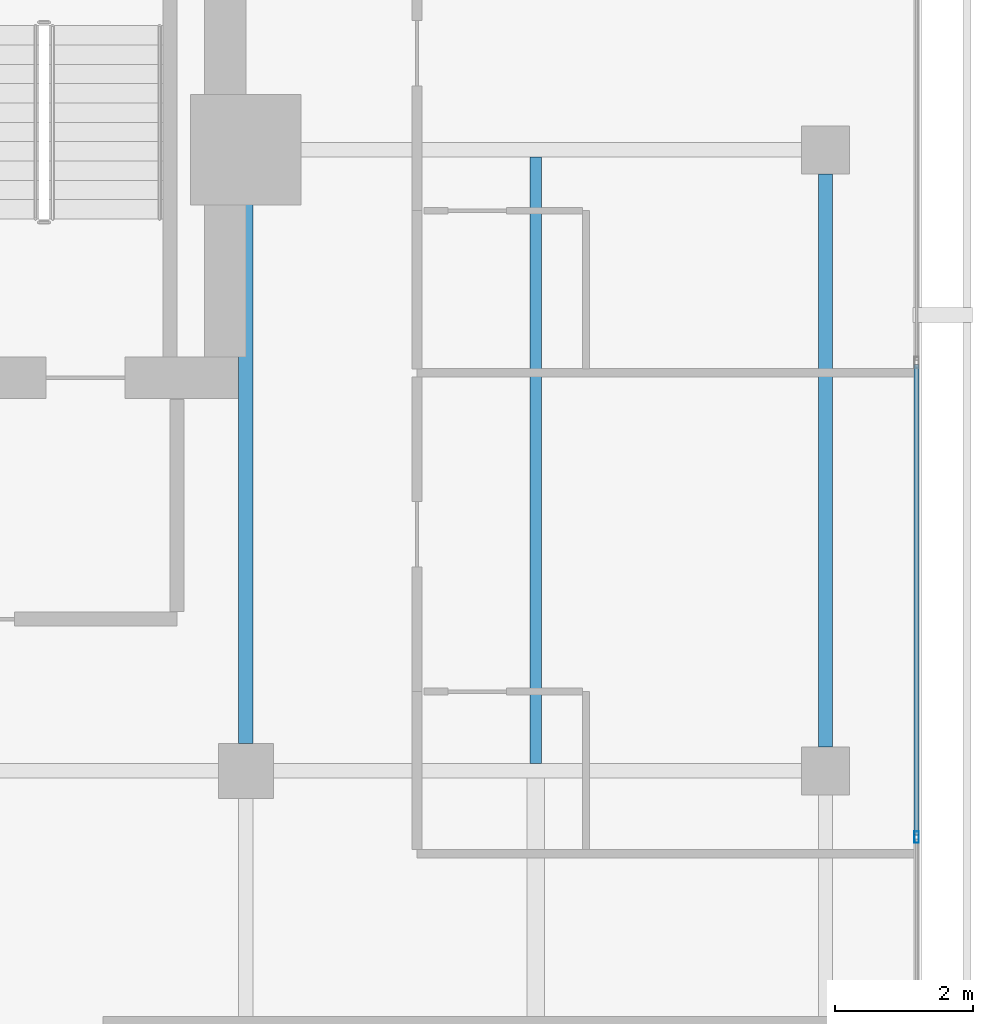
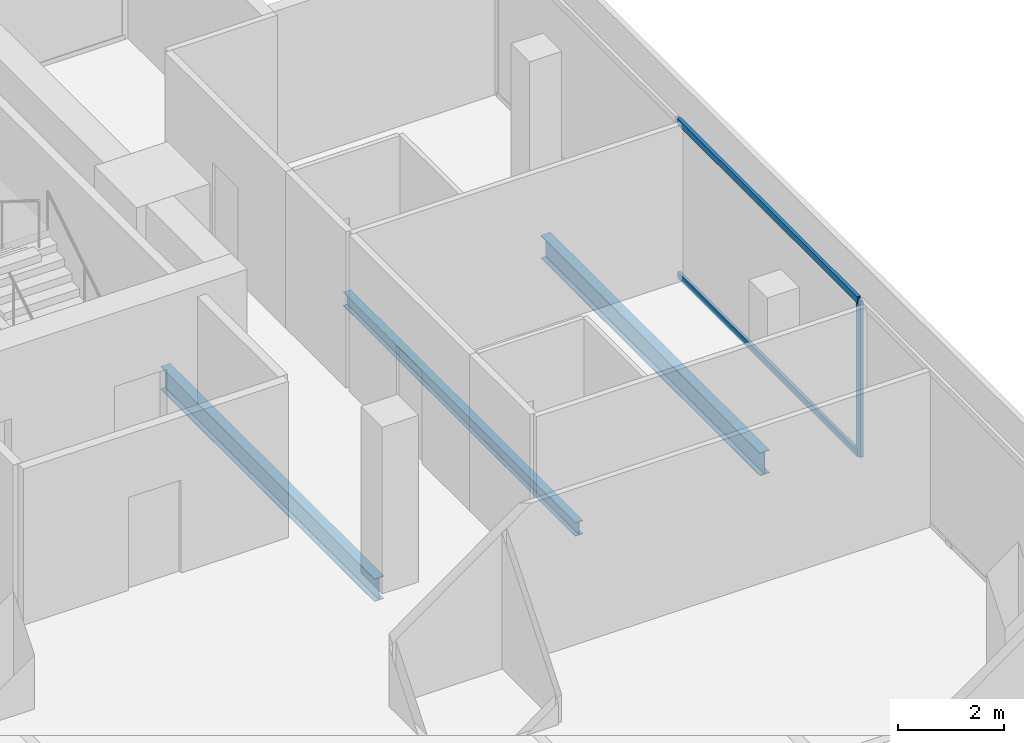
# One storey, part 15 of 26: 3 beams, 3 members, 1 element without a shape of its own.
"""IFC4 building model written with IfcOpenShell, lengths in metres."""

import ifcopenshell
import ifcopenshell.guid

model = None  # the IFC model being written
_history = None  # IfcOwnerHistory: only IFC2X3 demands one
_inside = {}  # id of a spatial element -> (the spatial element, [elements in it])
_under = {}  # id of a project, library or spatial element -> (it, [spatial elements below it])
_declared = {}  # id of a project -> (the project, [libraries it declares])
_typed = {}  # id of a type object -> (the type object, [elements of that type])
_made_of = {}  # id of a material, layer set ... -> (it, [elements and type objects made of it])


def new_model(schema):
    """Start an empty IFC model of exactly this schema.

    Asked for "IFC4X3", IfcOpenShell would pick the latest addendum, in which some entities
    have other attributes; the version numbers below select the first issue.
    IFC2X3 requires an IfcOwnerHistory on every rooted entity: one is made here for all.
    """
    global model, _history
    if schema == "IFC4X3":
        model = ifcopenshell.file(schema_version=(4, 3, 0, 0))
    else:
        model = ifcopenshell.file(schema=schema)
    _inside.clear()
    _under.clear()
    _declared.clear()
    _typed.clear()
    _made_of.clear()
    _history = None
    if model.schema == "IFC2X3":
        org = make("IfcOrganization", Name="unknown")
        user = make(
            "IfcPersonAndOrganization",
            ThePerson=make("IfcPerson", FamilyName="unknown"),
            TheOrganization=org,
        )
        app = make(
            "IfcApplication",
            ApplicationDeveloper=org,
            Version="unknown",
            ApplicationFullName="unknown",
            ApplicationIdentifier="unknown",
        )
        _history = make(
            "IfcOwnerHistory",
            OwningUser=user,
            OwningApplication=app,
            ChangeAction="ADDED",
            CreationDate=0,
        )
    return model


def make(cls, **values):
    """One entity of the class cls with the attributes given. An attribute that is None is left unset."""
    return model.create_entity(
        cls, **{name: value for name, value in values.items() if value is not None}
    )


def rooted(cls, **values):
    """An entity with a GlobalId (a new one), such as an element, a storey or a relation."""
    return make(cls, GlobalId=ifcopenshell.guid.new(), OwnerHistory=_history, **values)


def si_unit(unit_type, name, prefix=None):
    """IfcSIUnit, for example si_unit("LENGTHUNIT", "METRE", prefix="MILLI")."""
    return make("IfcSIUnit", UnitType=unit_type, Prefix=prefix, Name=name)


def assignment(units):
    """IfcUnitAssignment: the units of a project."""
    return None if units is None else make("IfcUnitAssignment", Units=units)


def point(xyz):
    """IfcCartesianPoint."""
    return None if xyz is None else make("IfcCartesianPoint", Coordinates=xyz)


def direction(xyz):
    """IfcDirection."""
    return None if xyz is None else make("IfcDirection", DirectionRatios=xyz)


def frame(location, z_axis=None, x_axis=None):
    """IfcAxis2Placement3D, a coordinate frame: its origin and axes. An axis left out is left unset."""
    return make(
        "IfcAxis2Placement3D",
        Location=point(location),
        Axis=direction(z_axis),
        RefDirection=direction(x_axis),
    )


def frame_2d(location, x_axis=None):
    """IfcAxis2Placement2D, a coordinate frame in the plane: its origin and x axis."""
    return make(
        "IfcAxis2Placement2D", Location=point(location), RefDirection=direction(x_axis)
    )


def origin():
    """The frame at (0, 0, 0) with its axes left unset."""
    return frame((0.0, 0.0, 0.0))


def origin_2d():
    """The frame at (0, 0) in the plane with its x axis left unset."""
    return frame_2d((0.0, 0.0))


def place(relative_to, where):
    """IfcLocalPlacement: puts the frame where relative to a parent placement (None: the world)."""
    return make(
        "IfcLocalPlacement", PlacementRelTo=relative_to, RelativePlacement=where
    )


def context(
    kind, dimensions, precision=None, world=None, true_north=None, identifier=None
):
    """IfcGeometricRepresentationContext, for example the 3D "Model" context."""
    return make(
        "IfcGeometricRepresentationContext",
        ContextIdentifier=identifier,
        ContextType=kind,
        CoordinateSpaceDimension=dimensions,
        Precision=precision,
        WorldCoordinateSystem=world,
        TrueNorth=true_north,
    )


def subcontext(parent, identifier, kind, view, scale=None):
    """IfcGeometricRepresentationSubContext, for example "Body" below "Model"."""
    return make(
        "IfcGeometricRepresentationSubContext",
        ContextIdentifier=identifier,
        ContextType=kind,
        ParentContext=parent,
        TargetScale=scale,
        TargetView=view,
    )


def project(units=None, contexts=None):
    """IfcProject with its units and contexts."""
    return rooted(
        "IfcProject",
        Name="project",
        RepresentationContexts=contexts,
        UnitsInContext=assignment(units),
    )


def spatial(cls, under=None, at=None, **own):
    """A site, building, storey or space (cls), placed at a placement, below another one or the project."""
    s = rooted(cls, ObjectPlacement=at, **own)
    if under is not None:
        _under.setdefault(under.id(), (under, []))[1].append(s)
    return s


def profile(cls, at=None, kind="AREA", **sizes):
    """A parametric profile (cls). Its sizes go by their IFC names, for example OverallWidth=200.0."""
    return make(cls, ProfileType=kind, Position=at, **sizes)


def hollow_rectangle(**sizes):
    """IfcRectangleHollowProfileDef."""
    return profile("IfcRectangleHollowProfileDef", **sizes)


def i_section(**sizes):
    """IfcIShapeProfileDef."""
    return profile("IfcIShapeProfileDef", **sizes)


def extrude(swept, where, along, depth):
    """IfcExtrudedAreaSolid: the profile swept, set in the frame where, extruded along a direction by depth."""
    return make(
        "IfcExtrudedAreaSolid",
        SweptArea=swept,
        Position=where,
        ExtrudedDirection=direction(along),
        Depth=depth,
    )


def shape(context_of_items, identifier, shape_type, items):
    """IfcShapeRepresentation: the items that make up one representation, for example the "Body"."""
    return make(
        "IfcShapeRepresentation",
        ContextOfItems=context_of_items,
        RepresentationIdentifier=identifier,
        RepresentationType=shape_type,
        Items=items,
    )


def material(Name=None, Category=None):
    """IfcMaterial."""
    return make("IfcMaterial", Name=Name, Category=Category)


def layer(
    of_material, thickness, ventilated=None, Name=None, Category=None, Priority=None
):
    """IfcMaterialLayer: one layer of a wall or slab, of a material (None: an air gap)."""
    return make(
        "IfcMaterialLayer",
        Material=of_material,
        LayerThickness=thickness,
        IsVentilated=ventilated,
        Name=Name,
        Category=Category,
        Priority=Priority,
    )


def layer_set(layers, Name=None):
    """IfcMaterialLayerSet."""
    return make("IfcMaterialLayerSet", MaterialLayers=layers, LayerSetName=Name)


def material_profile(
    of_material, cross_section, Name=None, Category=None, Priority=None
):
    """IfcMaterialProfile: a cross section and its material."""
    return make(
        "IfcMaterialProfile",
        Name=Name,
        Material=of_material,
        Profile=cross_section,
        Priority=Priority,
        Category=Category,
    )


def profile_set(profiles, Name=None, composite=None):
    """IfcMaterialProfileSet."""
    return make(
        "IfcMaterialProfileSet",
        Name=Name,
        MaterialProfiles=profiles,
        CompositeProfile=composite,
    )


def made_of(thing, what):
    """Note that an element or type object is made of a material, layer set ...; save() writes the relation."""
    if what is not None:
        _made_of.setdefault(what.id(), (what, []))[1].append(thing)
    return thing


def type_object(cls, material=None, **own):
    """A type object (cls), such as IfcWallType, which elements share."""
    return made_of(rooted(cls, **own), material)


def element(
    cls,
    number,
    at=None,
    inside=None,
    cuts=None,
    type_object=None,
    material=None,
    context=None,
    identifier="Body",
    shape_type=None,
    held_by="IfcProductDefinitionShape",
    body=None,
    shapes=None,
    **own,
):
    """One element of the class cls, such as IfcWall. Its Tag is "e" and its number.

    at: its placement. inside: the storey or other place that contains it. cuts: it is an
    opening in that element (IfcRelVoidsElement). A single representation is given by context,
    identifier, shape_type and body (its items); several are given by shapes. held_by: the class
    of the entity that holds the representations. save() writes the other relations.
    """
    e = rooted(cls, Tag="e%d" % number, ObjectPlacement=at, **own)
    if body is not None:
        shapes = [shape(context, identifier, shape_type, body)]
    if shapes is not None:
        e.Representation = make(held_by, Representations=shapes)
    if inside is not None:
        _inside.setdefault(inside.id(), (inside, []))[1].append(e)
    if cuts is not None:
        rooted(
            "IfcRelVoidsElement", RelatingBuildingElement=cuts, RelatedOpeningElement=e
        )
    if type_object is not None:
        _typed.setdefault(type_object.id(), (type_object, []))[1].append(e)
    return made_of(e, material)


def aggregate(whole, parts):
    """IfcRelAggregates: a whole, such as a stair, and the parts it consists of."""
    return rooted("IfcRelAggregates", RelatingObject=whole, RelatedObjects=parts)


def save(model, path):
    """Write the relations noted so far, then the file.

    IfcRelAggregates (storeys below a building ...), IfcRelContainedInSpatialStructure (elements
    in a storey), IfcRelDefinesByType, IfcRelAssociatesMaterial and IfcRelDeclares: one each for
    every whole, place, type object, material and project.
    """
    for whole, parts in _under.values():
        aggregate(whole, parts)
    for where, things in _inside.values():
        rooted(
            "IfcRelContainedInSpatialStructure",
            RelatedElements=things,
            RelatingStructure=where,
        )
    for kind, things in _typed.values():
        rooted("IfcRelDefinesByType", RelatedObjects=things, RelatingType=kind)
    for what, things in _made_of.values():
        rooted("IfcRelAssociatesMaterial", RelatedObjects=things, RelatingMaterial=what)
    for by, libraries in _declared.values():
        rooted("IfcRelDeclares", RelatingContext=by, RelatedDefinitions=libraries)
    model.write(path)


model = new_model("IFC4")

# Units and contexts
model_context = context("Model", 3, precision=1e-05, world=origin(), true_north=direction((0.0, 1.0)))
body_context = subcontext(model_context, "Body", "Model", "MODEL_VIEW")
ifc_project = project(units=[si_unit("LENGTHUNIT", "METRE"), si_unit("AREAUNIT", "SQUARE_METRE"), si_unit("VOLUMEUNIT", "CUBIC_METRE"), si_unit("PLANEANGLEUNIT", "RADIAN"), si_unit("MASSUNIT", "GRAM", prefix="KILO")], contexts=[model_context])

# Site, building, storey
site_placement = place(None, origin())
site = spatial("IfcSite", under=ifc_project, at=site_placement, CompositionType="ELEMENT")
building_placement = place(site_placement, origin())
building = spatial("IfcBuilding", under=site, at=building_placement, Name="Maruvema Waterfront Hotel and Observation Tower", CompositionType="ELEMENT")
storey_placement = place(building_placement, frame((0.0, 0.0, 266.35009765625)))
storey = spatial("IfcBuildingStorey", under=building, at=storey_placement, Name="L65", CompositionType="ELEMENT", Elevation=266.35009765625)

# Curtain wall, members
ifc_material_1 = material(Name="Anodised bronze aluminium and solar-control low-E IGU", Category="aluminium")
ifc_layer = layer(ifc_material_1, 0.159912109375, Name="Zone 3 Champagne Inner Thermal Curtain Wall System CW-04")
ifc_layer_set = layer_set([ifc_layer], Name="Anodised bronze aluminium and solar-control low-E IGU")
curtain_wall_type = type_object("IfcCurtainWallType", Name="Zone 3 Champagne Inner Thermal Curtain Wall System CW-04", PredefinedType="USERDEFINED", material=ifc_layer_set)
curtain_wall_placement = place(storey_placement, origin())
curtain_wall = element("IfcCurtainWall", 1, at=curtain_wall_placement, inside=storey, type_object=curtain_wall_type, Name="L65 Curtain Wall CW-L65-E", ObjectType="UNITISED CURTAIN WALL", PredefinedType="USERDEFINED")
ifc_material_2 = material(Name="Anodised architectural bronze aluminium", Category="aluminium")
ifc_material_profile_1 = material_profile(ifc_material_2, hollow_rectangle(XDim=0.070068359375, YDim=0.14990234375, WallThickness=0.00390625, at=origin_2d()), Name="ALU-T70x150")
ifc_profile_set_1 = profile_set([ifc_material_profile_1], Name="Anodised architectural bronze aluminium")
member_type_1 = type_object("IfcMemberType", Name="Curtain Wall Horizontal Transom ALU-T70x150", PredefinedType="USERDEFINED", material=ifc_profile_set_1)
member_1_placement = place(storey_placement, frame((60.1201171875, 35.070068359375, 0.02978515625), z_axis=(0.0, 1.0, 0.0), x_axis=(-1.0, 0.0, 0.0)))
member_1 = element("IfcMember", 2, at=member_1_placement, type_object=member_type_1, Name="CW-04 transom 4.1", ObjectType="TRANSOM", PredefinedType="USERDEFINED", context=body_context, shape_type="SweptSolid", body=[
    extrude(hollow_rectangle(XDim=0.070068359375, YDim=0.14990234375, WallThickness=0.00390625, at=origin_2d()), origin(), (0.0, 0.0, 1.0), 6.81982421875),
])
member_2_placement = place(storey_placement, frame((60.1201171875, 35.070068359375, 3.579833984375), z_axis=(0.0, 1.0, 0.0), x_axis=(-1.0, 0.0, 0.0)))
member_2 = element("IfcMember", 3, at=member_2_placement, type_object=member_type_1, Name="CW-04 transom 4.2", ObjectType="TRANSOM", PredefinedType="USERDEFINED", context=body_context, shape_type="SweptSolid", body=[
    extrude(hollow_rectangle(XDim=0.070068359375, YDim=0.14990234375, WallThickness=0.00390625, at=origin_2d()), origin(), (0.0, 0.0, 1.0), 6.81982421875),
])
ifc_material_3 = material(Name="Anodised architectural bronze aluminium", Category="aluminium")
ifc_material_profile_2 = material_profile(ifc_material_3, hollow_rectangle(XDim=0.06494140625, YDim=0.1650390625, WallThickness=0.00390625, at=origin_2d()), Name="ALU-M65x165")
ifc_profile_set_2 = profile_set([ifc_material_profile_2], Name="Anodised architectural bronze aluminium")
member_type_2 = type_object("IfcMemberType", Name="Curtain Wall Primary Mullion ALU-M65x165", PredefinedType="MULLION", material=ifc_profile_set_2)
member_3_placement = place(storey_placement, frame((60.1201171875, 35.0400390625, 0.0), z_axis=(0.0, 0.0, 1.0), x_axis=(-1.0, 0.0, 0.0)))
member_3 = element("IfcMember", 4, at=member_3_placement, type_object=member_type_2, Name="CW-04 mullion 4", PredefinedType="MULLION", context=body_context, shape_type="SweptSolid", body=[
    extrude(hollow_rectangle(XDim=0.06494140625, YDim=0.1650390625, WallThickness=0.00390625, at=origin_2d()), origin(), (0.0, 0.0, 1.0), 3.60986328125),
])
aggregate(curtain_wall, [member_3, member_1, member_2])

# Beams
ifc_material_4 = material(Name="Steel ASTM A572 Grade 50", Category="steel")
ifc_material_profile_3 = material_profile(ifc_material_4, i_section(OverallWidth=0.208984375, OverallDepth=0.532958984375, WebThickness=0.01025390625, FlangeThickness=0.015625, FilletRadius=0.014892578125, at=origin_2d()), Name="W530x92.0")
ifc_profile_set_3 = profile_set([ifc_material_profile_3], Name="Steel ASTM A572 Grade 50")
beam_type_1 = type_object("IfcBeamType", Name="Primary Floor Girder W530x92.0", PredefinedType="BEAM", material=ifc_profile_set_3)
beam_1_placement = place(storey_placement, frame((50.39990234375, 36.39990234375, -0.506591796875), z_axis=(0.0, 1.0, 0.0), x_axis=(-1.0, 0.0, 0.0)))
element("IfcBeam", 5, at=beam_1_placement, inside=storey, type_object=beam_type_1, Name="L65 Floor Girder NS-15", PredefinedType="BEAM", context=body_context, shape_type="SweptSolid", body=[
    extrude(i_section(OverallWidth=0.208984375, OverallDepth=0.532958984375, WebThickness=0.01025390625, FlangeThickness=0.015625, FilletRadius=0.014892578125, at=origin_2d()), origin(), (0.0, 0.0, 1.0), 8.10009765625),
])
beam_2_placement = place(storey_placement, frame((58.800048828125, 36.35009765625, -0.506591796875), z_axis=(0.0, 1.0, 0.0), x_axis=(-1.0, 0.0, 0.0)))
element("IfcBeam", 6, at=beam_2_placement, inside=storey, type_object=beam_type_1, Name="L65 Floor Girder NS-18", PredefinedType="BEAM", context=body_context, shape_type="SweptSolid", body=[
    extrude(i_section(OverallWidth=0.208984375, OverallDepth=0.532958984375, WebThickness=0.01025390625, FlangeThickness=0.015625, FilletRadius=0.014892578125, at=origin_2d()), origin(), (0.0, 0.0, 1.0), 8.2998046875),
])
ifc_material_5 = material(Name="Steel ASTM A572 Grade 50", Category="steel")
ifc_material_profile_4 = material_profile(ifc_material_5, i_section(OverallWidth=0.1669921875, OverallDepth=0.31689453125, WebThickness=0.007568359375, FlangeThickness=0.01318359375, FilletRadius=0.012939453125, at=origin_2d()), Name="W310x52.0")
ifc_profile_set_4 = profile_set([ifc_material_profile_4], Name="Steel ASTM A572 Grade 50")
beam_type_2 = type_object("IfcBeamType", Name="Secondary Floor Joist W310x52.0", PredefinedType="JOIST", material=ifc_profile_set_4)
beam_3_placement = place(storey_placement, frame((54.60009765625, 36.1044921875, -0.398681640625), z_axis=(0.0, 1.0, 0.0), x_axis=(-1.0, 0.0, 0.0)))
element("IfcBeam", 7, at=beam_3_placement, inside=storey, type_object=beam_type_2, Name="L65 Secondary Floor Joist JS-09", PredefinedType="JOIST", context=body_context, shape_type="SweptSolid", body=[
    extrude(i_section(OverallWidth=0.1669921875, OverallDepth=0.31689453125, WebThickness=0.007568359375, FlangeThickness=0.01318359375, FilletRadius=0.012939453125, at=origin_2d()), origin(), (0.0, 0.0, 1.0), 8.791015625),
])

save(model, "model.ifc")
